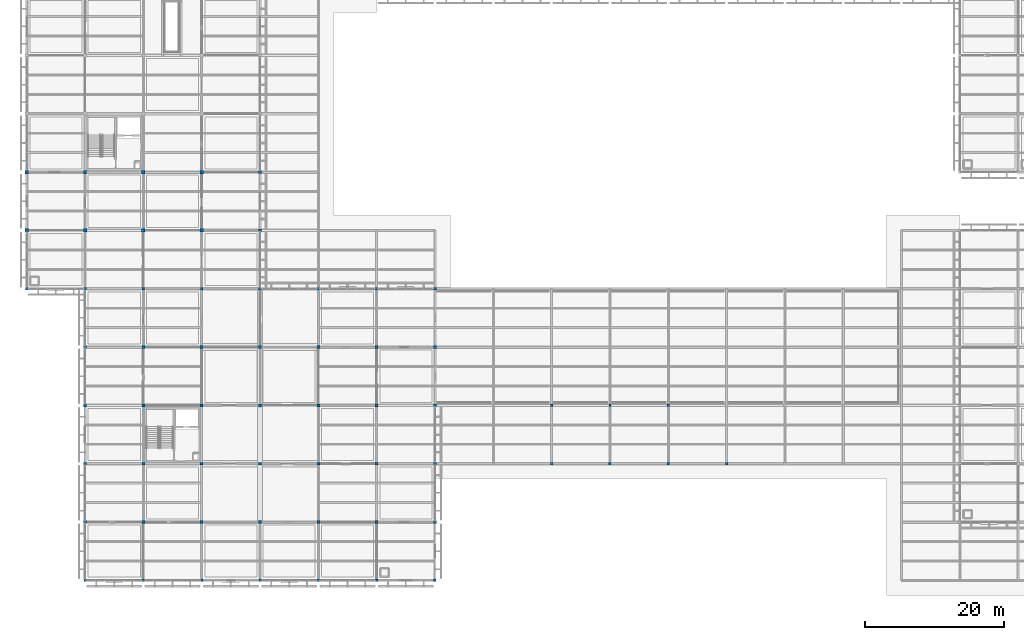
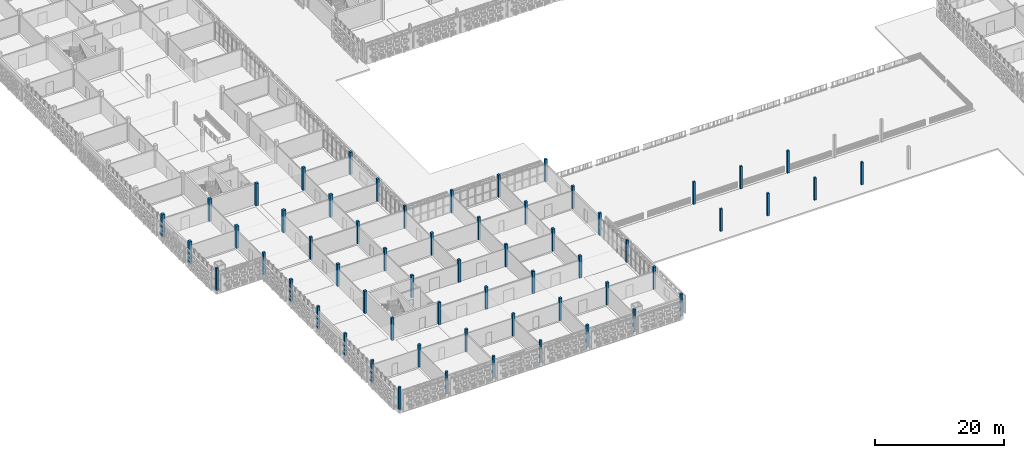
# One storey, part 1 of 166: 60 columns.
"""IFC4 building model written with IfcOpenShell, lengths in metres."""

from ifc_helpers import new_model, si_unit, direction, frame, origin, origin_2d, place, context, subcontext, project, spatial, rectangle, extrude, material, material_profile, profile_set, type_object, element, save


model = new_model("IFC4")

# Units and contexts
model_context = context("Model", 3, precision=1e-05, world=origin(), true_north=direction((0.0, 1.0)))
body_context = subcontext(model_context, "Body", "Model", "MODEL_VIEW")
ifc_project = project(units=[si_unit("LENGTHUNIT", "METRE"), si_unit("AREAUNIT", "SQUARE_METRE"), si_unit("VOLUMEUNIT", "CUBIC_METRE"), si_unit("PLANEANGLEUNIT", "RADIAN"), si_unit("MASSUNIT", "GRAM", prefix="KILO")], contexts=[model_context])

# Site, building, storey
site_placement = place(None, origin())
site = spatial("IfcSite", under=ifc_project, at=site_placement, CompositionType="ELEMENT")
building_placement = place(site_placement, origin())
building = spatial("IfcBuilding", under=site, at=building_placement, Name="Varnapada Polytechnic", CompositionType="ELEMENT")
storey_placement = place(building_placement, frame((0.0, 0.0, 9.60009765625)))
storey = spatial("IfcBuildingStorey", under=building, at=storey_placement, Name="L02", CompositionType="ELEMENT", Elevation=9.60009765625)

# Columns
ifc_material = material(Name="Glulam GL32h", Category="wood")
ifc_material_profile_1 = material_profile(ifc_material, rectangle(XDim=0.39990234375, YDim=0.39990234375, at=origin_2d()), Name="GL 400x400")
ifc_profile_set_1 = profile_set([ifc_material_profile_1], Name="Glulam GL32h")
column_type_1 = type_object("IfcColumnType", Name="Column C-13 (GL 400x400)", PredefinedType="COLUMN", material=ifc_profile_set_1)
for number, where, z_axis, x_axis, name in (
    (1, (8.39990234375, 42.0, 0.0), (0.0, 0.0, 1.0), (1.0, 0.0, 0.0), "L02 column 2/6"),
    (2, (25.199951171875, 42.0, 0.0), (0.0, 0.0, 1.0), (1.0, 0.0, 0.0), "L02 column 4/6"),
    (3, (42.0, 42.0, 0.0), (0.0, 0.0, 1.0), (1.0, 0.0, 0.0), "L02 column 6/6"),
    (4, (58.800048828125, 8.39990234375, 0.0), (0.0, 0.0, 1.0), (1.0, 0.0, 0.0), "L02 column 8/2"),
    (5, (58.800048828125, 16.800048828125, 0.0), (0.0, 0.0, 1.0), (1.0, 0.0, 0.0), "L02 column 8/3"),
    (6, (58.800048828125, 25.199951171875, 0.0), (0.0, 0.0, 1.0), (1.0, 0.0, 0.0), "L02 column 8/4"),
    (7, (58.800048828125, 33.60009765625, 0.0), (0.0, 0.0, 1.0), (1.0, 0.0, 0.0), "L02 column 8/5"),
    (8, (58.800048828125, 42.0, 0.0), (0.0, 0.0, 1.0), (1.0, 0.0, 0.0), "L02 column 8/6"),
):
    element("IfcColumn", number, at=place(storey_placement, frame(where, z_axis=z_axis, x_axis=x_axis)), inside=storey, type_object=column_type_1, Name=name, PredefinedType="COLUMN", context=body_context, shape_type="SweptSolid", body=[
        extrude(rectangle(XDim=0.39990234375, YDim=0.39990234375, at=origin_2d()), origin(), (0.0, 0.0, 1.0), 4.199951171875),
    ])
ifc_material_profile_2 = material_profile(ifc_material, rectangle(XDim=0.360107421875, YDim=0.360107421875, at=origin_2d()), Name="GL 360x360")
ifc_profile_set_2 = profile_set([ifc_material_profile_2], Name="Glulam GL32h")
column_type_2 = type_object("IfcColumnType", Name="Column C-14 (GL 360x360)", PredefinedType="COLUMN", material=ifc_profile_set_2)
for number, where, z_axis, x_axis, name in (
    (9, (8.39990234375, 0.0, 0.0), (0.0, 0.0, 1.0), (1.0, 0.0, 0.0), "L02 column 2/1"),
    (10, (16.800048828125, 0.0, 0.0), (0.0, 0.0, 1.0), (1.0, 0.0, 0.0), "L02 column 3/1"),
    (11, (25.199951171875, 0.0, 0.0), (0.0, 0.0, 1.0), (1.0, 0.0, 0.0), "L02 column 4/1"),
    (12, (33.60009765625, 0.0, 0.0), (0.0, 0.0, 1.0), (1.0, 0.0, 0.0), "L02 column 5/1"),
    (13, (42.0, 0.0, 0.0), (0.0, 0.0, 1.0), (1.0, 0.0, 0.0), "L02 column 6/1"),
    (14, (50.39990234375, 0.0, 0.0), (0.0, 0.0, 1.0), (1.0, 0.0, 0.0), "L02 column 7/1"),
    (15, (58.800048828125, 0.0, 0.0), (0.0, 0.0, 1.0), (1.0, 0.0, 0.0), "L02 column 8/1"),
    (16, (75.60009765625, 16.800048828125, 0.0), (0.0, 0.0, 1.0), (1.0, 0.0, 0.0), "L02 column 10/3"),
    (17, (84.0, 16.800048828125, 0.0), (0.0, 0.0, 1.0), (1.0, 0.0, 0.0), "L02 column 11/3"),
    (18, (92.39990234375, 16.800048828125, 0.0), (0.0, 0.0, 1.0), (1.0, 0.0, 0.0), "L02 column 12/3"),
    (19, (100.800048828125, 16.800048828125, 0.0), (0.0, 0.0, 1.0), (1.0, 0.0, 0.0), "L02 column 13/3"),
):
    element("IfcColumn", number, at=place(storey_placement, frame(where, z_axis=z_axis, x_axis=x_axis)), inside=storey, type_object=column_type_2, Name=name, PredefinedType="COLUMN", context=body_context, shape_type="SweptSolid", body=[
        extrude(rectangle(XDim=0.360107421875, YDim=0.360107421875, at=origin_2d()), origin(), (0.0, 0.0, 1.0), 4.199951171875),
    ])
ifc_material_profile_3 = material_profile(ifc_material, rectangle(XDim=0.5, YDim=0.5, at=origin_2d()), Name="GL 500x500")
ifc_profile_set_3 = profile_set([ifc_material_profile_3], Name="Glulam GL32h")
column_type_3 = type_object("IfcColumnType", Name="Column C-22 (GL 500x500)", PredefinedType="COLUMN", material=ifc_profile_set_3)
for number, where, z_axis, x_axis, name in (
    (20, (0.0, 50.39990234375, 0.0), (0.0, 0.0, 1.0), (1.0, 0.0, 0.0), "L02 column 1/7"),
    (21, (8.39990234375, 50.39990234375, 0.0), (0.0, 0.0, 1.0), (1.0, 0.0, 0.0), "L02 column 2/7"),
    (22, (16.800048828125, 50.39990234375, 0.0), (0.0, 0.0, 1.0), (1.0, 0.0, 0.0), "L02 column 3/7"),
    (23, (25.199951171875, 50.39990234375, 0.0), (0.0, 0.0, 1.0), (1.0, 0.0, 0.0), "L02 column 4/7"),
):
    element("IfcColumn", number, at=place(storey_placement, frame(where, z_axis=z_axis, x_axis=x_axis)), inside=storey, type_object=column_type_3, Name=name, PredefinedType="COLUMN", context=body_context, shape_type="SweptSolid", body=[
        extrude(rectangle(XDim=0.5, YDim=0.5, at=origin_2d()), origin(), (0.0, 0.0, 1.0), 4.199951171875),
    ])
ifc_material_profile_4 = material_profile(ifc_material, rectangle(XDim=0.419921875, YDim=0.419921875, at=origin_2d()), Name="GL 420x420")
ifc_profile_set_4 = profile_set([ifc_material_profile_4], Name="Glulam GL32h")
column_type_4 = type_object("IfcColumnType", Name="Column C-23 (GL 420x420)", PredefinedType="COLUMN", material=ifc_profile_set_4)
for number, where, z_axis, x_axis, name in (
    (24, (8.39990234375, 8.39990234375, 0.0), (0.0, 0.0, 1.0), (1.0, 0.0, 0.0), "L02 column 2/2"),
    (25, (8.39990234375, 16.800048828125, 0.0), (0.0, 0.0, 1.0), (1.0, 0.0, 0.0), "L02 column 2/3"),
    (26, (8.39990234375, 25.199951171875, 0.0), (0.0, 0.0, 1.0), (1.0, 0.0, 0.0), "L02 column 2/4"),
    (27, (8.39990234375, 33.60009765625, 0.0), (0.0, 0.0, 1.0), (1.0, 0.0, 0.0), "L02 column 2/5"),
    (28, (16.800048828125, 8.39990234375, 0.0), (0.0, 0.0, 1.0), (1.0, 0.0, 0.0), "L02 column 3/2"),
    (29, (16.800048828125, 16.800048828125, 0.0), (0.0, 0.0, 1.0), (1.0, 0.0, 0.0), "L02 column 3/3"),
    (30, (16.800048828125, 25.199951171875, 0.0), (0.0, 0.0, 1.0), (1.0, 0.0, 0.0), "L02 column 3/4"),
    (31, (16.800048828125, 33.60009765625, 0.0), (0.0, 0.0, 1.0), (1.0, 0.0, 0.0), "L02 column 3/5"),
    (32, (25.199951171875, 8.39990234375, 0.0), (0.0, 0.0, 1.0), (1.0, 0.0, 0.0), "L02 column 4/2"),
    (33, (25.199951171875, 16.800048828125, 0.0), (0.0, 0.0, 1.0), (1.0, 0.0, 0.0), "L02 column 4/3"),
    (34, (25.199951171875, 25.199951171875, 0.0), (0.0, 0.0, 1.0), (1.0, 0.0, 0.0), "L02 column 4/4"),
    (35, (25.199951171875, 33.60009765625, 0.0), (0.0, 0.0, 1.0), (1.0, 0.0, 0.0), "L02 column 4/5"),
    (36, (33.60009765625, 8.39990234375, 0.0), (0.0, 0.0, 1.0), (1.0, 0.0, 0.0), "L02 column 5/2"),
    (37, (33.60009765625, 16.800048828125, 0.0), (0.0, 0.0, 1.0), (1.0, 0.0, 0.0), "L02 column 5/3"),
    (38, (33.60009765625, 25.199951171875, 0.0), (0.0, 0.0, 1.0), (1.0, 0.0, 0.0), "L02 column 5/4"),
    (39, (33.60009765625, 33.60009765625, 0.0), (0.0, 0.0, 1.0), (1.0, 0.0, 0.0), "L02 column 5/5"),
    (40, (33.60009765625, 50.39990234375, 0.0), (0.0, 0.0, 1.0), (1.0, 0.0, 0.0), "L02 column 5/7"),
    (41, (42.0, 8.39990234375, 0.0), (0.0, 0.0, 1.0), (1.0, 0.0, 0.0), "L02 column 6/2"),
    (42, (42.0, 16.800048828125, 0.0), (0.0, 0.0, 1.0), (1.0, 0.0, 0.0), "L02 column 6/3"),
    (43, (42.0, 25.199951171875, 0.0), (0.0, 0.0, 1.0), (1.0, 0.0, 0.0), "L02 column 6/4"),
    (44, (42.0, 33.60009765625, 0.0), (0.0, 0.0, 1.0), (1.0, 0.0, 0.0), "L02 column 6/5"),
    (45, (50.39990234375, 8.39990234375, 0.0), (0.0, 0.0, 1.0), (1.0, 0.0, 0.0), "L02 column 7/2"),
    (46, (50.39990234375, 16.800048828125, 0.0), (0.0, 0.0, 1.0), (1.0, 0.0, 0.0), "L02 column 7/3"),
    (47, (50.39990234375, 25.199951171875, 0.0), (0.0, 0.0, 1.0), (1.0, 0.0, 0.0), "L02 column 7/4"),
    (48, (50.39990234375, 33.60009765625, 0.0), (0.0, 0.0, 1.0), (1.0, 0.0, 0.0), "L02 column 7/5"),
):
    element("IfcColumn", number, at=place(storey_placement, frame(where, z_axis=z_axis, x_axis=x_axis)), inside=storey, type_object=column_type_4, Name=name, PredefinedType="COLUMN", context=body_context, shape_type="SweptSolid", body=[
        extrude(rectangle(XDim=0.419921875, YDim=0.419921875, at=origin_2d()), origin(), (0.0, 0.0, 1.0), 4.199951171875),
    ])
ifc_material_profile_5 = material_profile(ifc_material, rectangle(XDim=0.3798828125, YDim=0.3798828125, at=origin_2d()), Name="GL 380x380")
ifc_profile_set_5 = profile_set([ifc_material_profile_5], Name="Glulam GL32h")
column_type_5 = type_object("IfcColumnType", Name="Column C-24 (GL 380x380)", PredefinedType="COLUMN", material=ifc_profile_set_5)
for number, where, z_axis, x_axis, name in (
    (49, (0.0, 42.0, 0.0), (0.0, 0.0, 1.0), (1.0, 0.0, 0.0), "L02 column 1/6"),
    (50, (16.800048828125, 42.0, 0.0), (0.0, 0.0, 1.0), (1.0, 0.0, 0.0), "L02 column 3/6"),
    (51, (33.60009765625, 42.0, 0.0), (0.0, 0.0, 1.0), (1.0, 0.0, 0.0), "L02 column 5/6"),
    (52, (50.39990234375, 42.0, 0.0), (0.0, 0.0, 1.0), (1.0, 0.0, 0.0), "L02 column 7/6"),
):
    element("IfcColumn", number, at=place(storey_placement, frame(where, z_axis=z_axis, x_axis=x_axis)), inside=storey, type_object=column_type_5, Name=name, PredefinedType="COLUMN", context=body_context, shape_type="SweptSolid", body=[
        extrude(rectangle(XDim=0.3798828125, YDim=0.3798828125, at=origin_2d()), origin(), (0.0, 0.0, 1.0), 4.199951171875),
    ])
ifc_material_profile_6 = material_profile(ifc_material, rectangle(XDim=0.47998046875, YDim=0.47998046875, at=origin_2d()), Name="GL 480x480")
ifc_profile_set_6 = profile_set([ifc_material_profile_6], Name="Glulam GL32h")
column_type_6 = type_object("IfcColumnType", Name="Column C-25 (GL 480x480)", PredefinedType="COLUMN", material=ifc_profile_set_6)
for number, where, z_axis, x_axis, name in (
    (53, (0.0, 58.800048828125, 0.0), (0.0, 0.0, 1.0), (1.0, 0.0, 0.0), "L02 column 1/8"),
    (54, (8.39990234375, 58.800048828125, 0.0), (0.0, 0.0, 1.0), (1.0, 0.0, 0.0), "L02 column 2/8"),
    (55, (16.800048828125, 58.800048828125, 0.0), (0.0, 0.0, 1.0), (1.0, 0.0, 0.0), "L02 column 3/8"),
    (56, (25.199951171875, 58.800048828125, 0.0), (0.0, 0.0, 1.0), (1.0, 0.0, 0.0), "L02 column 4/8"),
):
    element("IfcColumn", number, at=place(storey_placement, frame(where, z_axis=z_axis, x_axis=x_axis)), inside=storey, type_object=column_type_6, Name=name, PredefinedType="COLUMN", context=body_context, shape_type="SweptSolid", body=[
        extrude(rectangle(XDim=0.47998046875, YDim=0.47998046875, at=origin_2d()), origin(), (0.0, 0.0, 1.0), 4.199951171875),
    ])
ifc_material_profile_7 = material_profile(ifc_material, rectangle(XDim=0.43994140625, YDim=0.43994140625, at=origin_2d()), Name="GL 440x440")
ifc_profile_set_7 = profile_set([ifc_material_profile_7], Name="Glulam GL32h")
column_type_7 = type_object("IfcColumnType", Name="Column C-26 (GL 440x440)", PredefinedType="COLUMN", material=ifc_profile_set_7)
column_placement = place(storey_placement, frame((33.60009765625, 58.800048828125, 0.0), z_axis=(0.0, 0.0, 1.0), x_axis=(1.0, 0.0, 0.0)))
element("IfcColumn", 57, at=column_placement, inside=storey, type_object=column_type_7, Name="L02 column 5/8", PredefinedType="COLUMN", context=body_context, shape_type="SweptSolid", body=[
    extrude(rectangle(XDim=0.43994140625, YDim=0.43994140625, at=origin_2d()), origin(), (0.0, 0.0, 1.0), 4.199951171875),
])
ifc_material_profile_8 = material_profile(ifc_material, rectangle(XDim=0.340087890625, YDim=0.340087890625, at=origin_2d()), Name="GL 340x340")
ifc_profile_set_8 = profile_set([ifc_material_profile_8], Name="Glulam GL32h")
column_type_8 = type_object("IfcColumnType", Name="Column C-27 (GL 340x340)", PredefinedType="COLUMN", material=ifc_profile_set_8)
for number, where, z_axis, x_axis, name in (
    (58, (75.60009765625, 25.199951171875, 0.0), (0.0, 0.0, 1.0), (1.0, 0.0, 0.0), "L02 column 10/4"),
    (59, (84.0, 25.199951171875, 0.0), (0.0, 0.0, 1.0), (1.0, 0.0, 0.0), "L02 column 11/4"),
    (60, (92.39990234375, 25.199951171875, 0.0), (0.0, 0.0, 1.0), (1.0, 0.0, 0.0), "L02 column 12/4"),
):
    element("IfcColumn", number, at=place(storey_placement, frame(where, z_axis=z_axis, x_axis=x_axis)), inside=storey, type_object=column_type_8, Name=name, PredefinedType="COLUMN", context=body_context, shape_type="SweptSolid", body=[
        extrude(rectangle(XDim=0.340087890625, YDim=0.340087890625, at=origin_2d()), origin(), (0.0, 0.0, 1.0), 4.199951171875),
    ])

save(model, "model.ifc")
